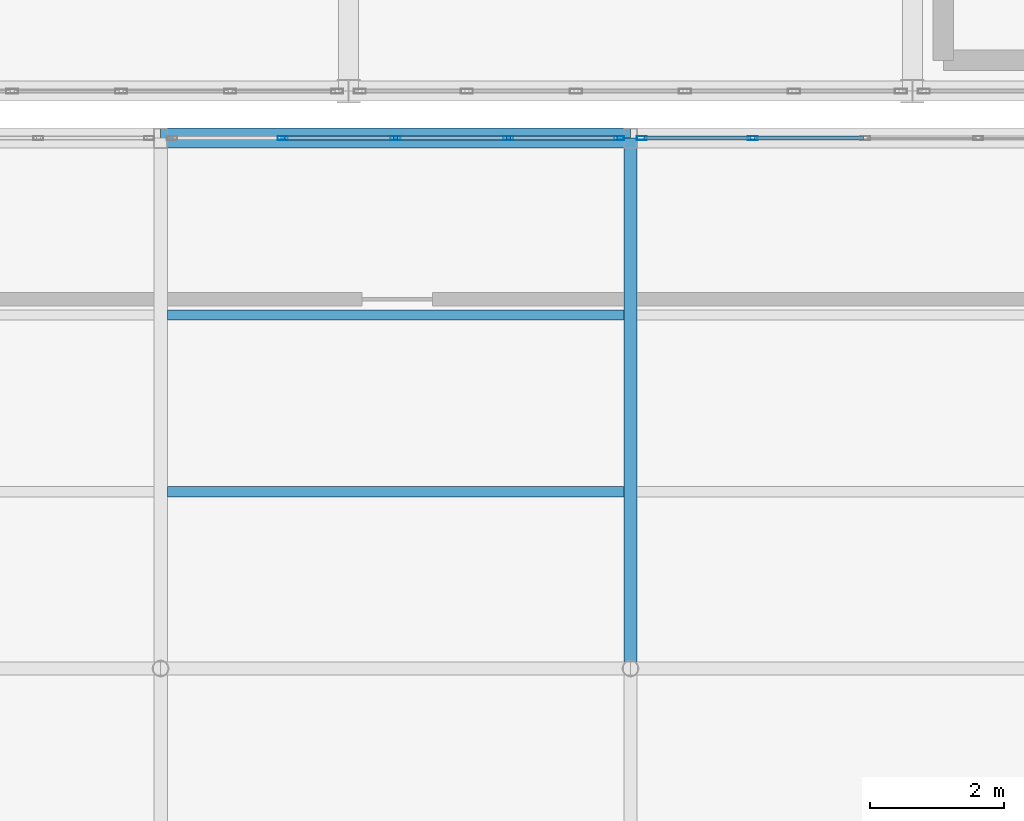
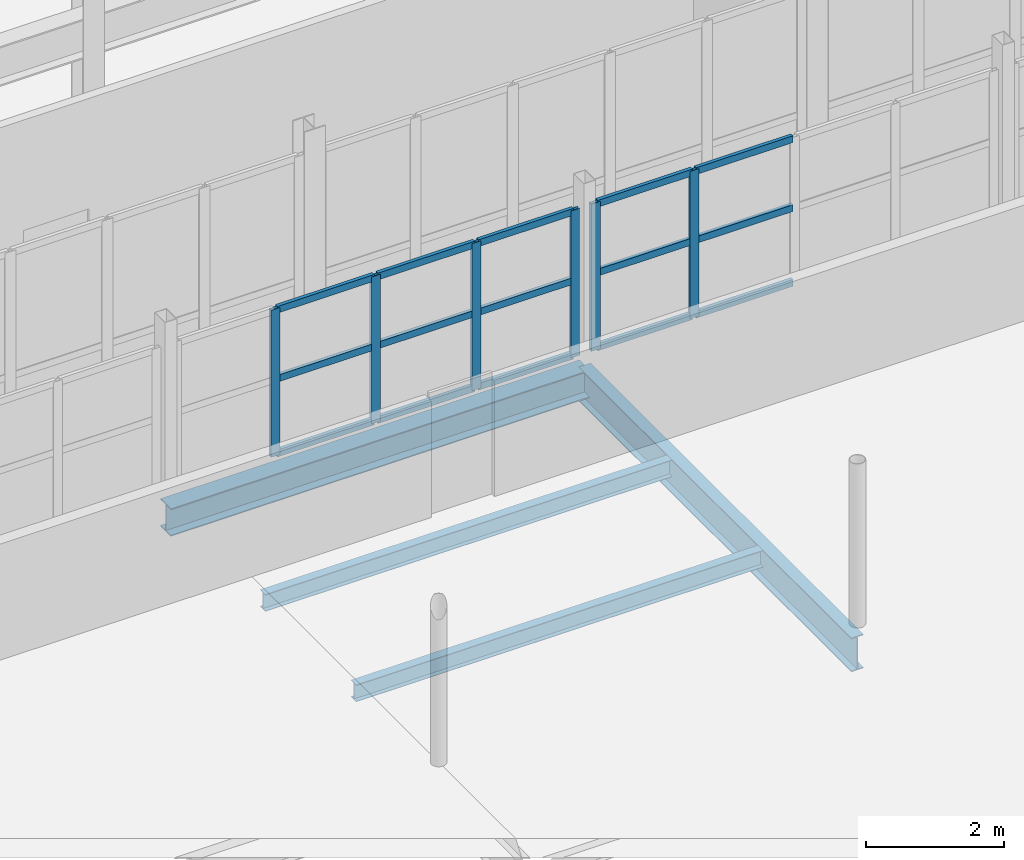
# One storey, part 71 of 218: 21 members, 4 beams, 2 elements without a shape of their own.
"""IFC4 building model written with IfcOpenShell, lengths in metres."""

from ifc_helpers import new_model, si_unit, direction, frame, origin, origin_2d, place, context, subcontext, project, spatial, hollow_rectangle, i_section, extrude, material, material_profile, profile_set, type_object, element, aggregate, save


model = new_model("IFC4")

# Units and contexts
model_context = context("Model", 3, precision=1e-05, world=origin(), true_north=direction((0.0, 1.0)))
body_context = subcontext(model_context, "Body", "Model", "MODEL_VIEW")
ifc_project = project(units=[si_unit("LENGTHUNIT", "METRE"), si_unit("AREAUNIT", "SQUARE_METRE"), si_unit("VOLUMEUNIT", "CUBIC_METRE"), si_unit("PLANEANGLEUNIT", "RADIAN"), si_unit("MASSUNIT", "GRAM", prefix="KILO")], contexts=[model_context])

# Site, building, storey
site_placement = place(None, origin())
site = spatial("IfcSite", under=ifc_project, at=site_placement, CompositionType="ELEMENT")
building_placement = place(site_placement, origin())
building = spatial("IfcBuilding", under=site, at=building_placement, Name="Kazenagashi Tramway Depot", CompositionType="ELEMENT")
storey_placement = place(building_placement, frame((0.0, 0.0, 6.0)))
storey = spatial("IfcBuildingStorey", under=building, at=storey_placement, Name="L02", CompositionType="ELEMENT", Elevation=6.0)

# Beams
ifc_material_1 = material(Name="Steel SN490B", Category="steel")
ifc_material_profile_1 = material_profile(ifc_material_1, i_section(OverallWidth=0.2, OverallDepth=0.6, WebThickness=0.011, FlangeThickness=0.017, at=origin_2d()), Name="H-600x200x11x17")
ifc_profile_set_1 = profile_set([ifc_material_profile_1], Name="Steel SN490B")
beam_type_1 = type_object("IfcBeamType", Name="G-03", PredefinedType="BEAM", material=ifc_profile_set_1)
beam_1_placement = place(storey_placement, frame((124.6, 7.9, -0.525), z_axis=(0.0, 1.0, 0.0), x_axis=(-1.0, 0.0, 0.0)))
element("IfcBeam", 1, at=beam_1_placement, inside=storey, type_object=beam_type_1, Name="Beam G-03 BM-1628", PredefinedType="BEAM", context=body_context, shape_type="SweptSolid", body=[
    extrude(i_section(OverallWidth=0.2, OverallDepth=0.6, WebThickness=0.011, FlangeThickness=0.017, at=origin_2d()), origin(), (0.0, 0.0, 1.0), 7.9),
])
ifc_material_2 = material(Name="Steel SN400B", Category="steel")
ifc_material_profile_2 = material_profile(ifc_material_2, i_section(OverallWidth=0.15, OverallDepth=0.3, WebThickness=0.0065, FlangeThickness=0.009, at=origin_2d()), Name="H-300x150x6.5x9")
ifc_profile_set_2 = profile_set([ifc_material_profile_2], Name="Steel SN400B")
beam_type_2 = type_object("IfcBeamType", Name="J-02", PredefinedType="JOIST", material=ifc_profile_set_2)
for number, where, z_axis, x_axis, name in (
    (2, (117.7, 10.533, -0.375), (1.0, 0.0, 0.0), (0.0, 1.0, 0.0), "Beam J-02 BM-1623"),
    (3, (117.7, 13.167, -0.375), (1.0, 0.0, 0.0), (0.0, 1.0, 0.0), "Beam J-02 BM-1624"),
):
    element("IfcBeam", number, at=place(storey_placement, frame(where, z_axis=z_axis, x_axis=x_axis)), inside=storey, type_object=beam_type_2, Name=name, PredefinedType="JOIST", context=body_context, shape_type="SweptSolid", body=[
        extrude(i_section(OverallWidth=0.15, OverallDepth=0.3, WebThickness=0.0065, FlangeThickness=0.009, at=origin_2d()), origin(), (0.0, 0.0, 1.0), 6.8),
    ])

# Curtain wall, members
ifc_material_3 = material(Name="Anodised Aluminium and Low-E Glazing", Category="aluminium")
curtain_wall_type = type_object("IfcCurtainWallType", Name="CW-32", PredefinedType="USERDEFINED", material=ifc_material_3)
curtain_wall_1_placement = place(storey_placement, origin())
curtain_wall_1 = element("IfcCurtainWall", 4, at=curtain_wall_1_placement, inside=storey, type_object=curtain_wall_type, Name="Industrial Glazed Screen CW-32 CW-0176", ObjectType="GLAZED SCREEN", PredefinedType="USERDEFINED")
ifc_material_4 = material(Name="Anodised Aluminium", Category="aluminium")
ifc_material_profile_3 = material_profile(ifc_material_4, hollow_rectangle(XDim=0.06, YDim=0.15, WallThickness=0.004, at=origin_2d()), Name="RHS-150x60x4")
ifc_profile_set_3 = profile_set([ifc_material_profile_3], Name="Anodised Aluminium")
member_type_1 = type_object("IfcMemberType", Name="ML-01", PredefinedType="MULLION", material=ifc_profile_set_3)
member_1_placement = place(storey_placement, frame((119.42, 15.8, 0.0), z_axis=(0.0, 0.0, 1.0), x_axis=(0.0, 1.0, 0.0)))
member_1 = element("IfcMember", 5, at=member_1_placement, type_object=member_type_1, Name="CW-32 mullion 2", PredefinedType="MULLION", context=body_context, shape_type="SweptSolid", body=[
    extrude(hollow_rectangle(XDim=0.06, YDim=0.15, WallThickness=0.004, at=origin_2d()), origin(), (0.0, 0.0, 1.0), 2.6),
])
member_2_placement = place(storey_placement, frame((121.1, 15.8, 0.0), z_axis=(0.0, 0.0, 1.0), x_axis=(0.0, 1.0, 0.0)))
member_2 = element("IfcMember", 6, at=member_2_placement, type_object=member_type_1, Name="CW-32 mullion 3", PredefinedType="MULLION", context=body_context, shape_type="SweptSolid", body=[
    extrude(hollow_rectangle(XDim=0.06, YDim=0.15, WallThickness=0.004, at=origin_2d()), origin(), (0.0, 0.0, 1.0), 2.6),
])
member_3_placement = place(storey_placement, frame((122.78, 15.8, 0.0), z_axis=(0.0, 0.0, 1.0), x_axis=(0.0, 1.0, 0.0)))
member_3 = element("IfcMember", 7, at=member_3_placement, type_object=member_type_1, Name="CW-32 mullion 4", PredefinedType="MULLION", context=body_context, shape_type="SweptSolid", body=[
    extrude(hollow_rectangle(XDim=0.06, YDim=0.15, WallThickness=0.004, at=origin_2d()), origin(), (0.0, 0.0, 1.0), 2.6),
])
member_4_placement = place(storey_placement, frame((124.43, 15.8, 0.0), z_axis=(0.0, 0.0, 1.0), x_axis=(0.0, 1.0, 0.0)))
member_4 = element("IfcMember", 8, at=member_4_placement, type_object=member_type_1, Name="CW-32 mullion 5", PredefinedType="MULLION", context=body_context, shape_type="SweptSolid", body=[
    extrude(hollow_rectangle(XDim=0.06, YDim=0.15, WallThickness=0.004, at=origin_2d()), origin(), (0.0, 0.0, 1.0), 2.6),
])

curtain_wall_2_placement = place(storey_placement, origin())
curtain_wall_2 = element("IfcCurtainWall", 9, at=curtain_wall_2_placement, inside=storey, type_object=curtain_wall_type, Name="Industrial Glazed Screen CW-32 CW-0177", ObjectType="GLAZED SCREEN", PredefinedType="USERDEFINED")
member_5_placement = place(storey_placement, frame((124.77, 15.8, 0.0), z_axis=(0.0, 0.0, 1.0), x_axis=(0.0, 1.0, 0.0)))
member_5 = element("IfcMember", 10, at=member_5_placement, type_object=member_type_1, Name="CW-32 mullion 1", PredefinedType="MULLION", context=body_context, shape_type="SweptSolid", body=[
    extrude(hollow_rectangle(XDim=0.06, YDim=0.15, WallThickness=0.004, at=origin_2d()), origin(), (0.0, 0.0, 1.0), 2.6),
])
member_6_placement = place(storey_placement, frame((126.42, 15.8, 0.0), z_axis=(0.0, 0.0, 1.0), x_axis=(0.0, 1.0, 0.0)))
member_6 = element("IfcMember", 11, at=member_6_placement, type_object=member_type_1, Name="CW-32 mullion 2", PredefinedType="MULLION", context=body_context, shape_type="SweptSolid", body=[
    extrude(hollow_rectangle(XDim=0.06, YDim=0.15, WallThickness=0.004, at=origin_2d()), origin(), (0.0, 0.0, 1.0), 2.6),
])

# Beam
ifc_material_profile_4 = material_profile(ifc_material_1, i_section(OverallWidth=0.3, OverallDepth=0.488, WebThickness=0.011, FlangeThickness=0.018, at=origin_2d()), Name="H-488x300x11x18")
ifc_profile_set_4 = profile_set([ifc_material_profile_4], Name="Steel SN490B")
beam_type_3 = type_object("IfcBeamType", Name="SP-02", PredefinedType="SPANDREL", material=ifc_profile_set_4)
beam_2_placement = place(storey_placement, frame((117.6, 15.8, -0.469), z_axis=(1.0, 0.0, 0.0), x_axis=(0.0, 1.0, 0.0)))
element("IfcBeam", 12, at=beam_2_placement, inside=storey, type_object=beam_type_3, Name="Beam SP-02 BM-1604", PredefinedType="SPANDREL", context=body_context, shape_type="SweptSolid", body=[
    extrude(i_section(OverallWidth=0.3, OverallDepth=0.488, WebThickness=0.011, FlangeThickness=0.018, at=origin_2d()), origin(), (0.0, 0.0, 1.0), 7.0),
])

# Member
ifc_material_profile_5 = material_profile(ifc_material_4, hollow_rectangle(XDim=0.06, YDim=0.12, WallThickness=0.004, at=origin_2d()), Name="RHS-120x60x4")
ifc_profile_set_5 = profile_set([ifc_material_profile_5], Name="Anodised Aluminium")
member_type_2 = type_object("IfcMemberType", Name="TR-01", PredefinedType="USERDEFINED", material=ifc_profile_set_5)
member_7_placement = place(storey_placement, frame((119.45, 15.8, 0.03), z_axis=(1.0, 0.0, 0.0), x_axis=(0.0, 1.0, 0.0)))
member_7 = element("IfcMember", 13, at=member_7_placement, type_object=member_type_2, Name="CW-32 transom 2.1", ObjectType="TRANSOM", PredefinedType="USERDEFINED", context=body_context, shape_type="SweptSolid", body=[
    extrude(hollow_rectangle(XDim=0.06, YDim=0.12, WallThickness=0.004, at=origin_2d()), origin(), (0.0, 0.0, 1.0), 1.62),
])

member_8_placement = place(storey_placement, frame((119.45, 15.8, 1.352), z_axis=(1.0, 0.0, 0.0), x_axis=(0.0, 1.0, 0.0)))
member_8 = element("IfcMember", 14, at=member_8_placement, type_object=member_type_2, Name="CW-32 transom 2.2", ObjectType="TRANSOM", PredefinedType="USERDEFINED", context=body_context, shape_type="SweptSolid", body=[
    extrude(hollow_rectangle(XDim=0.06, YDim=0.12, WallThickness=0.004, at=origin_2d()), origin(), (0.0, 0.0, 1.0), 1.62),
])

member_9_placement = place(storey_placement, frame((119.45, 15.8, 2.57), z_axis=(1.0, 0.0, 0.0), x_axis=(0.0, 1.0, 0.0)))
member_9 = element("IfcMember", 15, at=member_9_placement, type_object=member_type_2, Name="CW-32 transom 2.3", ObjectType="TRANSOM", PredefinedType="USERDEFINED", context=body_context, shape_type="SweptSolid", body=[
    extrude(hollow_rectangle(XDim=0.06, YDim=0.12, WallThickness=0.004, at=origin_2d()), origin(), (0.0, 0.0, 1.0), 1.62),
])

member_10_placement = place(storey_placement, frame((121.13, 15.8, 0.03), z_axis=(1.0, 0.0, 0.0), x_axis=(0.0, 1.0, 0.0)))
member_10 = element("IfcMember", 16, at=member_10_placement, type_object=member_type_2, Name="CW-32 transom 3.1", ObjectType="TRANSOM", PredefinedType="USERDEFINED", context=body_context, shape_type="SweptSolid", body=[
    extrude(hollow_rectangle(XDim=0.06, YDim=0.12, WallThickness=0.004, at=origin_2d()), origin(), (0.0, 0.0, 1.0), 1.62),
])

member_11_placement = place(storey_placement, frame((121.13, 15.8, 1.352), z_axis=(1.0, 0.0, 0.0), x_axis=(0.0, 1.0, 0.0)))
member_11 = element("IfcMember", 17, at=member_11_placement, type_object=member_type_2, Name="CW-32 transom 3.2", ObjectType="TRANSOM", PredefinedType="USERDEFINED", context=body_context, shape_type="SweptSolid", body=[
    extrude(hollow_rectangle(XDim=0.06, YDim=0.12, WallThickness=0.004, at=origin_2d()), origin(), (0.0, 0.0, 1.0), 1.62),
])

member_12_placement = place(storey_placement, frame((121.13, 15.8, 2.57), z_axis=(1.0, 0.0, 0.0), x_axis=(0.0, 1.0, 0.0)))
member_12 = element("IfcMember", 18, at=member_12_placement, type_object=member_type_2, Name="CW-32 transom 3.3", ObjectType="TRANSOM", PredefinedType="USERDEFINED", context=body_context, shape_type="SweptSolid", body=[
    extrude(hollow_rectangle(XDim=0.06, YDim=0.12, WallThickness=0.004, at=origin_2d()), origin(), (0.0, 0.0, 1.0), 1.62),
])

member_13_placement = place(storey_placement, frame((122.81, 15.8, 0.03), z_axis=(1.0, 0.0, 0.0), x_axis=(0.0, 1.0, 0.0)))
member_13 = element("IfcMember", 19, at=member_13_placement, type_object=member_type_2, Name="CW-32 transom 4.1", ObjectType="TRANSOM", PredefinedType="USERDEFINED", context=body_context, shape_type="SweptSolid", body=[
    extrude(hollow_rectangle(XDim=0.06, YDim=0.12, WallThickness=0.004, at=origin_2d()), origin(), (0.0, 0.0, 1.0), 1.59),
])

member_14_placement = place(storey_placement, frame((122.81, 15.8, 1.352), z_axis=(1.0, 0.0, 0.0), x_axis=(0.0, 1.0, 0.0)))
member_14 = element("IfcMember", 20, at=member_14_placement, type_object=member_type_2, Name="CW-32 transom 4.2", ObjectType="TRANSOM", PredefinedType="USERDEFINED", context=body_context, shape_type="SweptSolid", body=[
    extrude(hollow_rectangle(XDim=0.06, YDim=0.12, WallThickness=0.004, at=origin_2d()), origin(), (0.0, 0.0, 1.0), 1.59),
])

member_15_placement = place(storey_placement, frame((122.81, 15.8, 2.57), z_axis=(1.0, 0.0, 0.0), x_axis=(0.0, 1.0, 0.0)))
member_15 = element("IfcMember", 21, at=member_15_placement, type_object=member_type_2, Name="CW-32 transom 4.3", ObjectType="TRANSOM", PredefinedType="USERDEFINED", context=body_context, shape_type="SweptSolid", body=[
    extrude(hollow_rectangle(XDim=0.06, YDim=0.12, WallThickness=0.004, at=origin_2d()), origin(), (0.0, 0.0, 1.0), 1.59),
])

aggregate(curtain_wall_1, [member_1, member_2, member_3, member_4, member_7, member_8, member_9, member_10, member_11, member_12, member_13, member_14, member_15])

member_16_placement = place(storey_placement, frame((124.8, 15.8, 0.03), z_axis=(1.0, 0.0, 0.0), x_axis=(0.0, 1.0, 0.0)))
member_16 = element("IfcMember", 22, at=member_16_placement, type_object=member_type_2, Name="CW-32 transom 1.1", ObjectType="TRANSOM", PredefinedType="USERDEFINED", context=body_context, shape_type="SweptSolid", body=[
    extrude(hollow_rectangle(XDim=0.06, YDim=0.12, WallThickness=0.004, at=origin_2d()), origin(), (0.0, 0.0, 1.0), 1.59),
])

member_17_placement = place(storey_placement, frame((124.8, 15.8, 1.352), z_axis=(1.0, 0.0, 0.0), x_axis=(0.0, 1.0, 0.0)))
member_17 = element("IfcMember", 23, at=member_17_placement, type_object=member_type_2, Name="CW-32 transom 1.2", ObjectType="TRANSOM", PredefinedType="USERDEFINED", context=body_context, shape_type="SweptSolid", body=[
    extrude(hollow_rectangle(XDim=0.06, YDim=0.12, WallThickness=0.004, at=origin_2d()), origin(), (0.0, 0.0, 1.0), 1.59),
])

member_18_placement = place(storey_placement, frame((124.8, 15.8, 2.57), z_axis=(1.0, 0.0, 0.0), x_axis=(0.0, 1.0, 0.0)))
member_18 = element("IfcMember", 24, at=member_18_placement, type_object=member_type_2, Name="CW-32 transom 1.3", ObjectType="TRANSOM", PredefinedType="USERDEFINED", context=body_context, shape_type="SweptSolid", body=[
    extrude(hollow_rectangle(XDim=0.06, YDim=0.12, WallThickness=0.004, at=origin_2d()), origin(), (0.0, 0.0, 1.0), 1.59),
])

member_19_placement = place(storey_placement, frame((126.45, 15.8, 0.03), z_axis=(1.0, 0.0, 0.0), x_axis=(0.0, 1.0, 0.0)))
member_19 = element("IfcMember", 25, at=member_19_placement, type_object=member_type_2, Name="CW-32 transom 2.1", ObjectType="TRANSOM", PredefinedType="USERDEFINED", context=body_context, shape_type="SweptSolid", body=[
    extrude(hollow_rectangle(XDim=0.06, YDim=0.12, WallThickness=0.004, at=origin_2d()), origin(), (0.0, 0.0, 1.0), 1.62),
])

member_20_placement = place(storey_placement, frame((126.45, 15.8, 1.352), z_axis=(1.0, 0.0, 0.0), x_axis=(0.0, 1.0, 0.0)))
member_20 = element("IfcMember", 26, at=member_20_placement, type_object=member_type_2, Name="CW-32 transom 2.2", ObjectType="TRANSOM", PredefinedType="USERDEFINED", context=body_context, shape_type="SweptSolid", body=[
    extrude(hollow_rectangle(XDim=0.06, YDim=0.12, WallThickness=0.004, at=origin_2d()), origin(), (0.0, 0.0, 1.0), 1.62),
])

member_21_placement = place(storey_placement, frame((126.45, 15.8, 2.57), z_axis=(1.0, 0.0, 0.0), x_axis=(0.0, 1.0, 0.0)))
member_21 = element("IfcMember", 27, at=member_21_placement, type_object=member_type_2, Name="CW-32 transom 2.3", ObjectType="TRANSOM", PredefinedType="USERDEFINED", context=body_context, shape_type="SweptSolid", body=[
    extrude(hollow_rectangle(XDim=0.06, YDim=0.12, WallThickness=0.004, at=origin_2d()), origin(), (0.0, 0.0, 1.0), 1.62),
])

aggregate(curtain_wall_2, [member_5, member_6, member_16, member_17, member_18, member_19, member_20, member_21])

save(model, "model.ifc")
